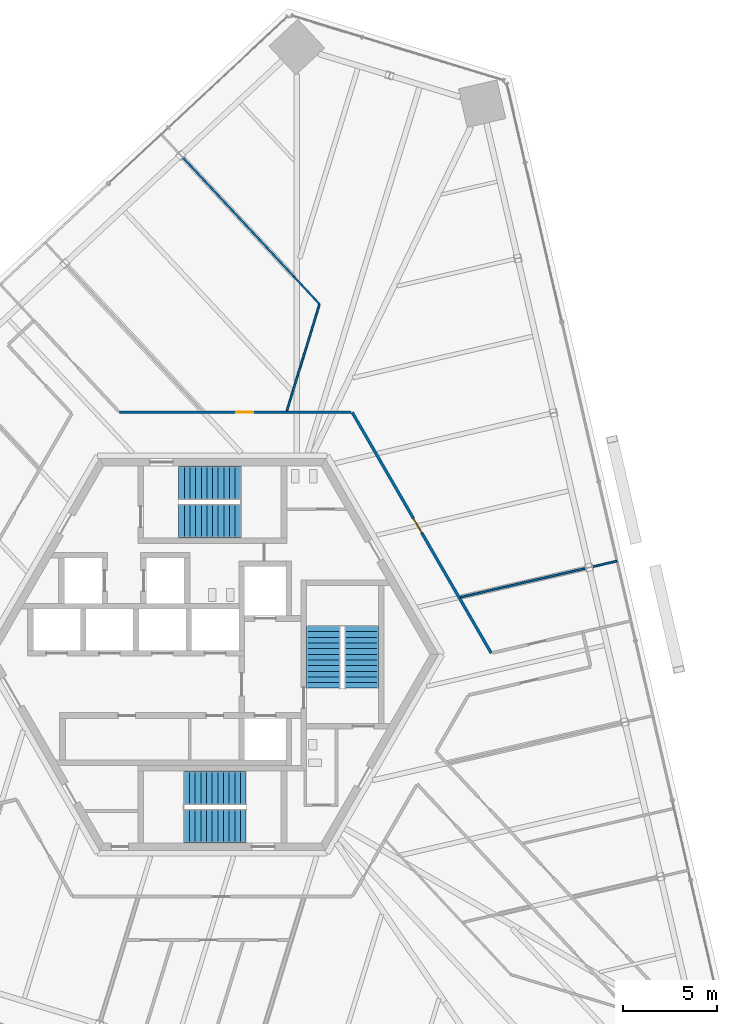
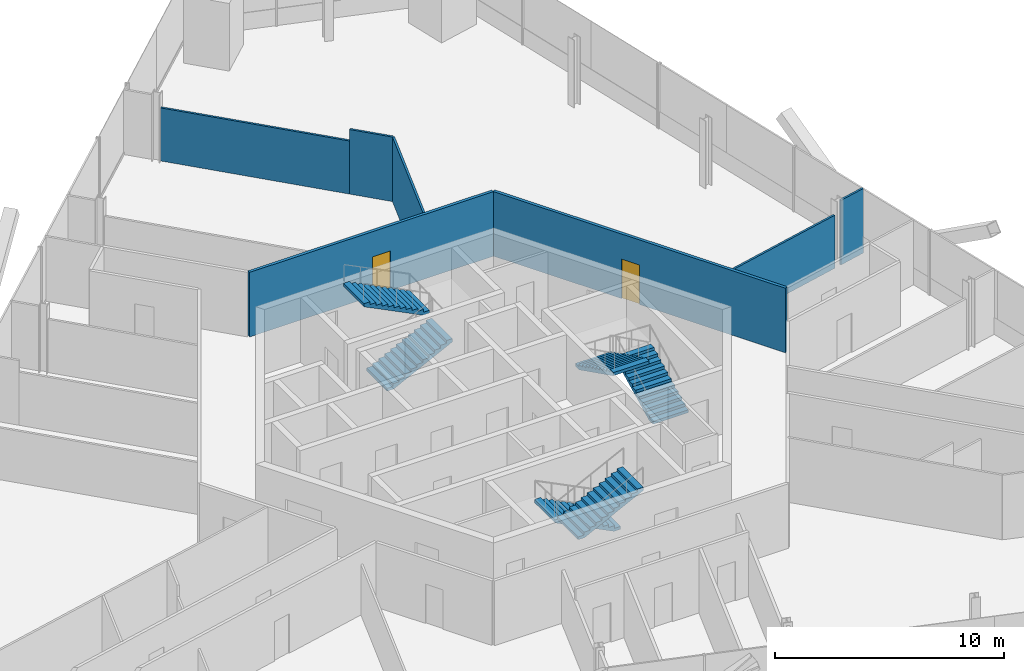
# One storey, part 16 of 20: 7 walls, 6 stair flights, 2 doors, 2 openings, 3 elements without a shape of their own.
"""IFC4 building model written with IfcOpenShell, lengths in metres."""

from ifc_helpers import new_model, si_unit, direction, frame, frame_2d, origin, place, context, subcontext, project, spatial, polyline, rectangle, outline, extrude, source, transform, mapped, material, layer, layer_set, type_object, element, fill, aggregate, save


model = new_model("IFC4")

# Units and contexts
model_context = context("Model", 3, precision=1e-05, world=origin(), true_north=direction((0.0, 1.0)))
body_context = subcontext(model_context, "Body", "Model", "MODEL_VIEW")
ifc_project = project(units=[si_unit("LENGTHUNIT", "METRE"), si_unit("AREAUNIT", "SQUARE_METRE"), si_unit("VOLUMEUNIT", "CUBIC_METRE"), si_unit("PLANEANGLEUNIT", "RADIAN"), si_unit("MASSUNIT", "GRAM", prefix="KILO")], contexts=[model_context])

# Site, building, storey
site_placement = place(None, origin())
site = spatial("IfcSite", under=ifc_project, at=site_placement, CompositionType="ELEMENT")
building_placement = place(site_placement, origin())
building = spatial("IfcBuilding", under=site, at=building_placement, Name="Triune Harvest Tower", CompositionType="ELEMENT")
storey_placement = place(building_placement, frame((0.0, 0.0, 116.300048828125)))
storey = spatial("IfcBuildingStorey", under=building, at=storey_placement, Name="L29", CompositionType="ELEMENT", Elevation=116.300048828125)

# Walls
ifc_material_1 = material(Name="Gypsum board on steel studs", Category="steel")
ifc_layer_1 = layer(ifc_material_1, 0.10009765625)
ifc_layer_set_1 = layer_set([ifc_layer_1], Name="Gypsum board on steel studs")
wall_type_1 = type_object("IfcWallType", Name="Partition 100 mm", PredefinedType="PARTITIONING", material=ifc_layer_set_1)
shared_shape_1 = source(origin(), body_context, "Body", "SweptSolid", [
    extrude(rectangle(XDim=1.338134765625, YDim=0.10009765625, at=frame_2d((0.6689453125, 0.0))), origin(), (0.0, 0.0, 1.0), 3.43994140625),
])
wall_1_placement = place(storey_placement, frame((20.156005859375, 4.6533203125, 0.0), z_axis=(0.0, 0.0, 1.0), x_axis=(0.974363511026, 0.224979439906, 0.0)))
element("IfcWall", 1, at=wall_1_placement, inside=storey, type_object=wall_type_1, Name="Partition L29 044", PredefinedType="PARTITIONING", context=body_context, shape_type="MappedRepresentation", body=[
    mapped(shared_shape_1, transform((0.0, 0.0, 0.0), scale=1.0)),
])
shared_shape_2 = source(origin(), body_context, "Body", "SweptSolid", [
    extrude(rectangle(XDim=1.9912109375, YDim=0.10009765625, at=frame_2d((0.99560546875, 0.0))), origin(), (0.0, 0.0, 1.0), 3.43994140625),
])
wall_2_placement = place(storey_placement, frame((4.323486328125, 20.03955078125, 0.0), z_axis=(0.0, 0.0, 1.0), x_axis=(0.681968684126, -0.731381373752, 0.0)))
element("IfcWall", 2, at=wall_2_placement, inside=storey, type_object=wall_type_1, Name="Partition L29 022a", PredefinedType="PARTITIONING", context=body_context, shape_type="MappedRepresentation", body=[
    mapped(shared_shape_2, transform((0.0, 0.0, 0.0), scale=1.0)),
])

# Wall, opening, door
ifc_material_2 = material(Name="Gypsum board on steel studs", Category="steel")
ifc_layer_2 = layer(ifc_material_2, 0.14990234375)
ifc_layer_set_2 = layer_set([ifc_layer_2], Name="Gypsum board on steel studs")
wall_type_2 = type_object("IfcWallType", Name="Fire Partition 150 mm", PredefinedType="PARTITIONING", material=ifc_layer_set_2)
shared_shape_3 = source(origin(), body_context, "Body", "SweptSolid", [
    extrude(rectangle(XDim=14.7470703125, YDim=0.14990234375, at=frame_2d((7.37353515625, 0.0))), origin(), (0.0, 0.0, 1.0), 3.43994140625),
])
wall_3_placement = place(storey_placement, frame((7.414306640625, 12.84228515625, 0.0), z_axis=(0.0, 0.0, 1.0), x_axis=(0.500002856634, -0.8660237545, 0.0)))
wall_3 = element("IfcWall", 3, at=wall_3_placement, inside=storey, type_object=wall_type_2, Name="Partition L29 006", PredefinedType="PARTITIONING", context=body_context, shape_type="MappedRepresentation", body=[
    mapped(shared_shape_3, transform((0.0, 0.0, 0.0), scale=1.0)),
])
opening_1_placement = place(wall_3_placement, frame((6.490966796875, 0.0, 0.0)))
opening_1 = element("IfcOpeningElement", 4, at=opening_1_placement, cuts=wall_3, Name="Opening L29-008", PredefinedType="OPENING", context=body_context, shape_type="SweptSolid", body=[
    extrude(rectangle(XDim=0.89990234375, YDim=2.10009765625, at=frame_2d((0.449951171875, 1.050048828125))), frame((0.0, 0.0849609375, 0.0), z_axis=(0.0, -1.0, 0.0), x_axis=(1.0, 0.0, 0.0)), (0.0, 0.0, 1.0), 0.169921875),
])
ifc_material_3 = material(Name="Timber and steel door set", Category="steel")
door_type_1 = type_object("IfcDoorType", Name="Single leaf door FD30 left hand 900 x 2100", OperationType="SINGLE_SWING_LEFT", PredefinedType="DOOR", material=ifc_material_3)
door_1_placement = place(opening_1_placement, origin())
door_1 = element("IfcDoor", 5, at=door_1_placement, inside=storey, type_object=door_type_1, Name="Door L29-008 Open Office 29.08", OperationType="SINGLE_SWING_LEFT", OverallHeight=2.10009765625, OverallWidth=0.89990234375, PredefinedType="DOOR", context=body_context, shape_type="SweptSolid", body=[
    extrude(rectangle(XDim=0.89990234375, YDim=2.10009765625, at=frame_2d((0.449951171875, 1.050048828125))), frame((0.0, 0.02490234375, 0.0), z_axis=(0.0, -1.0, 0.0), x_axis=(1.0, 0.0, 0.0)), (0.0, 0.0, 1.0), 0.050048828125),
])
fill(opening_1, door_1)

# Walls
shared_shape_4 = source(origin(), body_context, "Body", "SweptSolid", [
    extrude(rectangle(XDim=6.825927734375, YDim=0.10009765625, at=frame_2d((3.4130859375, 0.0))), origin(), (0.0, 0.0, 1.0), 2.82763671875),
])
wall_4_placement = place(storey_placement, frame((13.153076171875, 3.03662109375, 0.0), z_axis=(0.0, 0.0, 1.0), x_axis=(0.974374314592, 0.224932645614, 0.0)))
element("IfcWall", 6, at=wall_4_placement, inside=storey, type_object=wall_type_1, Name="Partition L29 043", PredefinedType="PARTITIONING", context=body_context, shape_type="MappedRepresentation", body=[
    mapped(shared_shape_4, transform((0.0, 0.0, 0.0), scale=1.0)),
])
shared_shape_5 = source(origin(), body_context, "Body", "SweptSolid", [
    extrude(rectangle(XDim=8.61767578125, YDim=0.10009765625, at=frame_2d((4.308837890625, 0.0))), origin(), (0.0, 0.0, 1.0), 2.82763671875),
])
wall_5_placement = place(storey_placement, frame((-1.5537109375, 26.342041015625, 0.0), z_axis=(0.0, 0.0, 1.0), x_axis=(0.682000224703, -0.731351962809, 0.0)))
element("IfcWall", 7, at=wall_5_placement, inside=storey, type_object=wall_type_1, Name="Partition L29 022", PredefinedType="PARTITIONING", context=body_context, shape_type="MappedRepresentation", body=[
    mapped(shared_shape_5, transform((0.0, 0.0, 0.0), scale=1.0)),
])

# Wall, opening, door
shared_shape_6 = source(origin(), body_context, "Body", "SweptSolid", [
    extrude(rectangle(XDim=12.28857421875, YDim=0.14990234375, at=frame_2d((6.144287109375, 0.0))), origin(), (0.0, 0.0, 1.0), 3.43994140625),
])
wall_6_placement = place(storey_placement, frame((-4.924072265625, 12.84228515625, 0.0), z_axis=(0.0, 0.0, 1.0), x_axis=(1.0, 0.0, 0.0)))
wall_6 = element("IfcWall", 8, at=wall_6_placement, inside=storey, type_object=wall_type_2, Name="Partition L29 027", PredefinedType="PARTITIONING", context=body_context, shape_type="MappedRepresentation", body=[
    mapped(shared_shape_6, transform((0.0, 0.0, 0.0), scale=1.0)),
])
opening_2_placement = place(wall_6_placement, frame((6.2001953125, 0.0, 0.0)))
opening_2 = element("IfcOpeningElement", 9, at=opening_2_placement, cuts=wall_6, Name="Opening L29-009", PredefinedType="OPENING", context=body_context, shape_type="SweptSolid", body=[
    extrude(rectangle(XDim=0.89990234375, YDim=2.10009765625, at=frame_2d((0.449951171875, 1.050048828125))), frame((0.0, 0.0849609375, 0.0), z_axis=(0.0, -1.0, 0.0), x_axis=(1.0, 0.0, 0.0)), (0.0, 0.0, 1.0), 0.169921875),
])
ifc_material_4 = material(Name="Timber and steel door set", Category="steel")
door_type_2 = type_object("IfcDoorType", Name="Single leaf door FD30 right hand 900 x 2100", OperationType="SINGLE_SWING_RIGHT", PredefinedType="DOOR", material=ifc_material_4)
door_2_placement = place(opening_2_placement, origin())
door_2 = element("IfcDoor", 10, at=door_2_placement, inside=storey, type_object=door_type_2, Name="Door L29-009 Pantry 29.09", OperationType="SINGLE_SWING_RIGHT", OverallHeight=2.10009765625, OverallWidth=0.89990234375, PredefinedType="DOOR", context=body_context, shape_type="SweptSolid", body=[
    extrude(rectangle(XDim=0.89990234375, YDim=2.10009765625, at=frame_2d((0.449951171875, 1.050048828125))), frame((0.0, 0.02490234375, 0.0), z_axis=(0.0, -1.0, 0.0), x_axis=(1.0, 0.0, 0.0)), (0.0, 0.0, 1.0), 0.050048828125),
])
fill(opening_2, door_2)

# Wall
shared_shape_7 = source(origin(), body_context, "Body", "SweptSolid", [
    extrude(rectangle(XDim=5.913330078125, YDim=0.10009765625, at=frame_2d((2.95654296875, 0.0))), origin(), (0.0, 0.0, 1.0), 3.43994140625),
])
wall_7_placement = place(storey_placement, frame((3.94677734375, 12.9091796875, 0.0), z_axis=(0.0, 0.0, 1.0), x_axis=(0.292347548658, 0.95631214088, 0.0)))
element("IfcWall", 11, at=wall_7_placement, inside=storey, type_object=wall_type_1, Name="Partition L29 056", PredefinedType="PARTITIONING", context=body_context, shape_type="MappedRepresentation", body=[
    mapped(shared_shape_7, transform((0.0, 0.0, 0.0), scale=1.0)),
])

# Stair, stair flights
ifc_material_5 = material(Name="Concrete 40 MPa", Category="concrete")
stair_type = type_object("IfcStairType", Name="Exit stair 1800 half turn", PredefinedType="HALF_TURN_STAIR", material=ifc_material_5)
stair_1_placement = place(storey_placement, origin())
stair_1 = element("IfcStair", 12, at=stair_1_placement, inside=storey, type_object=stair_type, Name="Exit stair north", PredefinedType="HALF_TURN_STAIR")
ifc_material_6 = material(Name="Concrete 40 MPa", Category="concrete")
stair_flight_type = type_object("IfcStairFlightType", Name="Stair flight 1800", PredefinedType="STRAIGHT", material=ifc_material_6)
shared_shape_8 = source(origin(), body_context, "Body", "SweptSolid", [
    extrude(outline(polyline([(0.0, 0.0), (0.0, 0.14990234375), (0.300048828125, 0.14990234375), (0.300048828125, 0.300048828125), (0.60009765625, 0.300048828125), (0.60009765625, 0.449951171875), (0.89990234375, 0.449951171875), (0.89990234375, 0.60009765625), (1.199951171875, 0.60009765625), (1.199951171875, 0.75), (1.5, 0.75), (1.5, 0.89990234375), (1.800048828125, 0.89990234375), (1.800048828125, 1.050048828125), (2.10009765625, 1.050048828125), (2.10009765625, 1.199951171875), (2.39990234375, 1.199951171875), (2.39990234375, 1.35009765625), (2.699951171875, 1.35009765625), (2.699951171875, 1.5), (3.0, 1.5), (3.0, 1.64990234375), (3.300048828125, 1.64990234375), (3.300048828125, 1.800048828125), (3.300048828125, 1.482421875), (0.335205078125, 0.0), (0.0, 0.0)])), frame((0.0, 0.89990234375, 0.0), z_axis=(0.0, -1.0, 0.0), x_axis=(1.0, 0.0, 0.0)), (0.0, 0.0, 1.0), 1.800048828125),
])
stair_flight_1_placement = place(storey_placement, frame((-1.7900390625, 7.090087890625, 0.0), z_axis=(0.0, 0.0, 1.0), x_axis=(1.0, 0.0, 0.0)))
stair_flight_1 = element("IfcStairFlight", 13, at=stair_flight_1_placement, type_object=stair_flight_type, Name="ST-1 flight 1", NumberOfRisers=12, NumberOfTreads=11, PredefinedType="STRAIGHT", RiserHeight=0.15, TreadLength=0.3, context=body_context, shape_type="MappedRepresentation", body=[
    mapped(shared_shape_8, transform((0.0, 0.0, 0.0), scale=1.0)),
])
stair_flight_2_placement = place(storey_placement, frame((1.510009765625, 9.090087890625, 1.800048828125), z_axis=(0.0, 0.0, 1.0), x_axis=(-1.0, 0.0, 0.0)))
stair_flight_2 = element("IfcStairFlight", 14, at=stair_flight_2_placement, type_object=stair_flight_type, Name="ST-1 flight 2", NumberOfRisers=12, NumberOfTreads=11, PredefinedType="STRAIGHT", RiserHeight=0.15, TreadLength=0.3, context=body_context, shape_type="MappedRepresentation", body=[
    mapped(shared_shape_8, transform((0.0, 0.0, 0.0), scale=1.0)),
])
aggregate(stair_1, [stair_flight_1, stair_flight_2])

stair_2_placement = place(storey_placement, origin())
stair_2 = element("IfcStair", 15, at=stair_2_placement, inside=storey, type_object=stair_type, Name="Exit stair south", PredefinedType="HALF_TURN_STAIR")
stair_flight_3_placement = place(storey_placement, frame((1.7900390625, -7.090087890625, 0.0), z_axis=(0.0, 0.0, 1.0), x_axis=(-1.0, 0.0, 0.0)))
stair_flight_3 = element("IfcStairFlight", 16, at=stair_flight_3_placement, type_object=stair_flight_type, Name="ST-2 flight 1", NumberOfRisers=12, NumberOfTreads=11, PredefinedType="STRAIGHT", RiserHeight=0.15, TreadLength=0.3, context=body_context, shape_type="MappedRepresentation", body=[
    mapped(shared_shape_8, transform((0.0, 0.0, 0.0), scale=1.0)),
])
stair_flight_4_placement = place(storey_placement, frame((-1.510009765625, -9.090087890625, 1.800048828125), z_axis=(0.0, 0.0, 1.0), x_axis=(1.0, 0.0, 0.0)))
stair_flight_4 = element("IfcStairFlight", 17, at=stair_flight_4_placement, type_object=stair_flight_type, Name="ST-2 flight 2", NumberOfRisers=12, NumberOfTreads=11, PredefinedType="STRAIGHT", RiserHeight=0.15, TreadLength=0.3, context=body_context, shape_type="MappedRepresentation", body=[
    mapped(shared_shape_8, transform((0.0, 0.0, 0.0), scale=1.0)),
])
aggregate(stair_2, [stair_flight_3, stair_flight_4])

stair_3_placement = place(storey_placement, origin())
stair_3 = element("IfcStair", 18, at=stair_3_placement, inside=storey, type_object=stair_type, Name="Exit stair east", PredefinedType="HALF_TURN_STAIR")
stair_flight_5_placement = place(storey_placement, frame((7.89990234375, -1.7900390625, 0.0), z_axis=(0.0, 0.0, 1.0), x_axis=(0.0, 1.0, 0.0)))
stair_flight_5 = element("IfcStairFlight", 19, at=stair_flight_5_placement, type_object=stair_flight_type, Name="ST-3 flight 1", NumberOfRisers=12, NumberOfTreads=11, PredefinedType="STRAIGHT", RiserHeight=0.15, TreadLength=0.3, context=body_context, shape_type="MappedRepresentation", body=[
    mapped(shared_shape_8, transform((0.0, 0.0, 0.0), scale=1.0)),
])
stair_flight_6_placement = place(storey_placement, frame((5.89990234375, 1.510009765625, 1.800048828125), z_axis=(0.0, 0.0, 1.0), x_axis=(0.0, -1.0, 0.0)))
stair_flight_6 = element("IfcStairFlight", 20, at=stair_flight_6_placement, type_object=stair_flight_type, Name="ST-3 flight 2", NumberOfRisers=12, NumberOfTreads=11, PredefinedType="STRAIGHT", RiserHeight=0.15, TreadLength=0.3, context=body_context, shape_type="MappedRepresentation", body=[
    mapped(shared_shape_8, transform((0.0, 0.0, 0.0), scale=1.0)),
])
aggregate(stair_3, [stair_flight_5, stair_flight_6])

save(model, "model.ifc")
